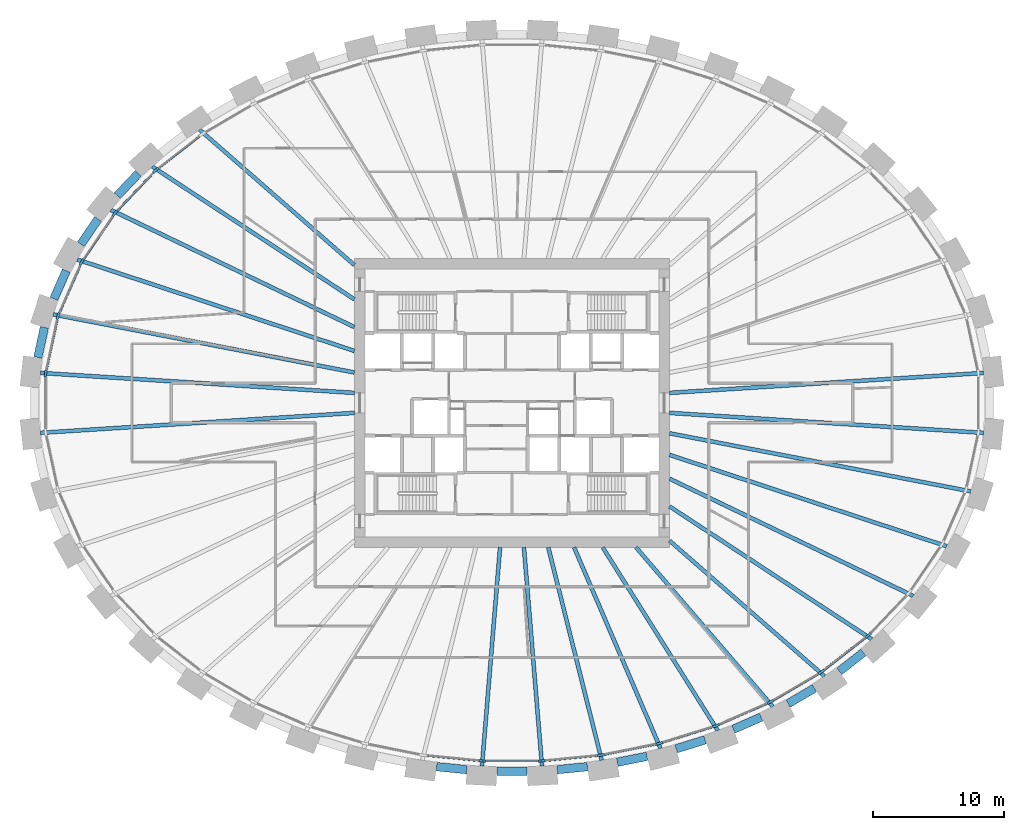
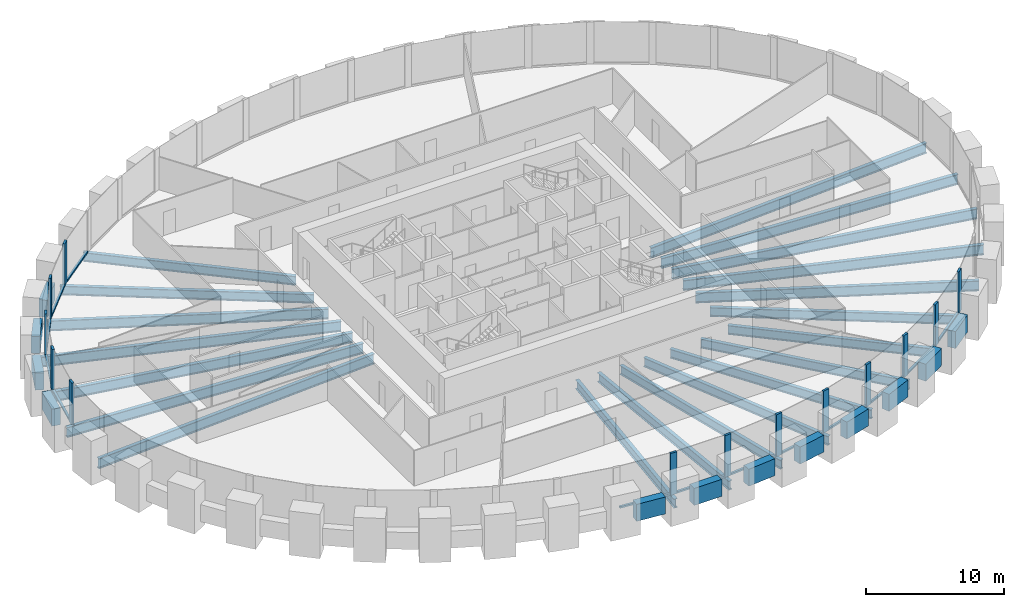
# One storey, part 2 of 11: 32 beams, 26 members, 1 element without a shape of its own.
"""IFC4 building model written with IfcOpenShell, lengths in metres."""

import ifcopenshell
import ifcopenshell.guid

model = None  # the IFC model being written
_history = None  # IfcOwnerHistory: only IFC2X3 demands one
_inside = {}  # id of a spatial element -> (the spatial element, [elements in it])
_under = {}  # id of a project, library or spatial element -> (it, [spatial elements below it])
_declared = {}  # id of a project -> (the project, [libraries it declares])
_typed = {}  # id of a type object -> (the type object, [elements of that type])
_made_of = {}  # id of a material, layer set ... -> (it, [elements and type objects made of it])


def new_model(schema):
    """Start an empty IFC model of exactly this schema.

    Asked for "IFC4X3", IfcOpenShell would pick the latest addendum, in which some entities
    have other attributes; the version numbers below select the first issue.
    IFC2X3 requires an IfcOwnerHistory on every rooted entity: one is made here for all.
    """
    global model, _history
    if schema == "IFC4X3":
        model = ifcopenshell.file(schema_version=(4, 3, 0, 0))
    else:
        model = ifcopenshell.file(schema=schema)
    _inside.clear()
    _under.clear()
    _declared.clear()
    _typed.clear()
    _made_of.clear()
    _history = None
    if model.schema == "IFC2X3":
        org = make("IfcOrganization", Name="unknown")
        user = make(
            "IfcPersonAndOrganization",
            ThePerson=make("IfcPerson", FamilyName="unknown"),
            TheOrganization=org,
        )
        app = make(
            "IfcApplication",
            ApplicationDeveloper=org,
            Version="unknown",
            ApplicationFullName="unknown",
            ApplicationIdentifier="unknown",
        )
        _history = make(
            "IfcOwnerHistory",
            OwningUser=user,
            OwningApplication=app,
            ChangeAction="ADDED",
            CreationDate=0,
        )
    return model


def make(cls, **values):
    """One entity of the class cls with the attributes given. An attribute that is None is left unset."""
    return model.create_entity(
        cls, **{name: value for name, value in values.items() if value is not None}
    )


def rooted(cls, **values):
    """An entity with a GlobalId (a new one), such as an element, a storey or a relation."""
    return make(cls, GlobalId=ifcopenshell.guid.new(), OwnerHistory=_history, **values)


def si_unit(unit_type, name, prefix=None):
    """IfcSIUnit, for example si_unit("LENGTHUNIT", "METRE", prefix="MILLI")."""
    return make("IfcSIUnit", UnitType=unit_type, Prefix=prefix, Name=name)


def assignment(units):
    """IfcUnitAssignment: the units of a project."""
    return None if units is None else make("IfcUnitAssignment", Units=units)


def point(xyz):
    """IfcCartesianPoint."""
    return None if xyz is None else make("IfcCartesianPoint", Coordinates=xyz)


def direction(xyz):
    """IfcDirection."""
    return None if xyz is None else make("IfcDirection", DirectionRatios=xyz)


def frame(location, z_axis=None, x_axis=None):
    """IfcAxis2Placement3D, a coordinate frame: its origin and axes. An axis left out is left unset."""
    return make(
        "IfcAxis2Placement3D",
        Location=point(location),
        Axis=direction(z_axis),
        RefDirection=direction(x_axis),
    )


def frame_2d(location, x_axis=None):
    """IfcAxis2Placement2D, a coordinate frame in the plane: its origin and x axis."""
    return make(
        "IfcAxis2Placement2D", Location=point(location), RefDirection=direction(x_axis)
    )


def origin():
    """The frame at (0, 0, 0) with its axes left unset."""
    return frame((0.0, 0.0, 0.0))


def origin_2d():
    """The frame at (0, 0) in the plane with its x axis left unset."""
    return frame_2d((0.0, 0.0))


def place(relative_to, where):
    """IfcLocalPlacement: puts the frame where relative to a parent placement (None: the world)."""
    return make(
        "IfcLocalPlacement", PlacementRelTo=relative_to, RelativePlacement=where
    )


def context(
    kind, dimensions, precision=None, world=None, true_north=None, identifier=None
):
    """IfcGeometricRepresentationContext, for example the 3D "Model" context."""
    return make(
        "IfcGeometricRepresentationContext",
        ContextIdentifier=identifier,
        ContextType=kind,
        CoordinateSpaceDimension=dimensions,
        Precision=precision,
        WorldCoordinateSystem=world,
        TrueNorth=true_north,
    )


def subcontext(parent, identifier, kind, view, scale=None):
    """IfcGeometricRepresentationSubContext, for example "Body" below "Model"."""
    return make(
        "IfcGeometricRepresentationSubContext",
        ContextIdentifier=identifier,
        ContextType=kind,
        ParentContext=parent,
        TargetScale=scale,
        TargetView=view,
    )


def project(units=None, contexts=None):
    """IfcProject with its units and contexts."""
    return rooted(
        "IfcProject",
        Name="project",
        RepresentationContexts=contexts,
        UnitsInContext=assignment(units),
    )


def spatial(cls, under=None, at=None, **own):
    """A site, building, storey or space (cls), placed at a placement, below another one or the project."""
    s = rooted(cls, ObjectPlacement=at, **own)
    if under is not None:
        _under.setdefault(under.id(), (under, []))[1].append(s)
    return s


def profile(cls, at=None, kind="AREA", **sizes):
    """A parametric profile (cls). Its sizes go by their IFC names, for example OverallWidth=200.0."""
    return make(cls, ProfileType=kind, Position=at, **sizes)


def rectangle(**sizes):
    """IfcRectangleProfileDef."""
    return profile("IfcRectangleProfileDef", **sizes)


def i_section(**sizes):
    """IfcIShapeProfileDef."""
    return profile("IfcIShapeProfileDef", **sizes)


def extrude(swept, where, along, depth):
    """IfcExtrudedAreaSolid: the profile swept, set in the frame where, extruded along a direction by depth."""
    return make(
        "IfcExtrudedAreaSolid",
        SweptArea=swept,
        Position=where,
        ExtrudedDirection=direction(along),
        Depth=depth,
    )


def shape(context_of_items, identifier, shape_type, items):
    """IfcShapeRepresentation: the items that make up one representation, for example the "Body"."""
    return make(
        "IfcShapeRepresentation",
        ContextOfItems=context_of_items,
        RepresentationIdentifier=identifier,
        RepresentationType=shape_type,
        Items=items,
    )


def source(mapping_origin, context_of_items, identifier, shape_type, items):
    """IfcRepresentationMap: a shape defined once, which mapped items show again and again."""
    return make(
        "IfcRepresentationMap",
        MappingOrigin=mapping_origin,
        MappedRepresentation=shape(context_of_items, identifier, shape_type, items),
    )


def transform(
    local_origin,
    x_axis=None,
    y_axis=None,
    z_axis=None,
    scale=None,
    scale2=None,
    scale3=None,
    uniform=True,
):
    """IfcCartesianTransformationOperator3D, or its non-uniform kind. x_axis, y_axis, z_axis: its Axis1, 2, 3."""
    if uniform:
        return make(
            "IfcCartesianTransformationOperator3D",
            Axis1=direction(x_axis),
            Axis2=direction(y_axis),
            LocalOrigin=point(local_origin),
            Scale=scale,
            Axis3=direction(z_axis),
        )
    return make(
        "IfcCartesianTransformationOperator3DnonUniform",
        Axis1=direction(x_axis),
        Axis2=direction(y_axis),
        LocalOrigin=point(local_origin),
        Scale=scale,
        Axis3=direction(z_axis),
        Scale2=scale2,
        Scale3=scale3,
    )


def mapped(mapping_source, mapping_target):
    """IfcMappedItem: shows the shape of a source again, moved by a transform."""
    return make(
        "IfcMappedItem", MappingSource=mapping_source, MappingTarget=mapping_target
    )


def material(Name=None, Category=None):
    """IfcMaterial."""
    return make("IfcMaterial", Name=Name, Category=Category)


def material_profile(
    of_material, cross_section, Name=None, Category=None, Priority=None
):
    """IfcMaterialProfile: a cross section and its material."""
    return make(
        "IfcMaterialProfile",
        Name=Name,
        Material=of_material,
        Profile=cross_section,
        Priority=Priority,
        Category=Category,
    )


def profile_set(profiles, Name=None, composite=None):
    """IfcMaterialProfileSet."""
    return make(
        "IfcMaterialProfileSet",
        Name=Name,
        MaterialProfiles=profiles,
        CompositeProfile=composite,
    )


def made_of(thing, what):
    """Note that an element or type object is made of a material, layer set ...; save() writes the relation."""
    if what is not None:
        _made_of.setdefault(what.id(), (what, []))[1].append(thing)
    return thing


def type_object(cls, material=None, **own):
    """A type object (cls), such as IfcWallType, which elements share."""
    return made_of(rooted(cls, **own), material)


def element(
    cls,
    number,
    at=None,
    inside=None,
    cuts=None,
    type_object=None,
    material=None,
    context=None,
    identifier="Body",
    shape_type=None,
    held_by="IfcProductDefinitionShape",
    body=None,
    shapes=None,
    **own,
):
    """One element of the class cls, such as IfcWall. Its Tag is "e" and its number.

    at: its placement. inside: the storey or other place that contains it. cuts: it is an
    opening in that element (IfcRelVoidsElement). A single representation is given by context,
    identifier, shape_type and body (its items); several are given by shapes. held_by: the class
    of the entity that holds the representations. save() writes the other relations.
    """
    e = rooted(cls, Tag="e%d" % number, ObjectPlacement=at, **own)
    if body is not None:
        shapes = [shape(context, identifier, shape_type, body)]
    if shapes is not None:
        e.Representation = make(held_by, Representations=shapes)
    if inside is not None:
        _inside.setdefault(inside.id(), (inside, []))[1].append(e)
    if cuts is not None:
        rooted(
            "IfcRelVoidsElement", RelatingBuildingElement=cuts, RelatedOpeningElement=e
        )
    if type_object is not None:
        _typed.setdefault(type_object.id(), (type_object, []))[1].append(e)
    return made_of(e, material)


def aggregate(whole, parts):
    """IfcRelAggregates: a whole, such as a stair, and the parts it consists of."""
    return rooted("IfcRelAggregates", RelatingObject=whole, RelatedObjects=parts)


def save(model, path):
    """Write the relations noted so far, then the file.

    IfcRelAggregates (storeys below a building ...), IfcRelContainedInSpatialStructure (elements
    in a storey), IfcRelDefinesByType, IfcRelAssociatesMaterial and IfcRelDeclares: one each for
    every whole, place, type object, material and project.
    """
    for whole, parts in _under.values():
        aggregate(whole, parts)
    for where, things in _inside.values():
        rooted(
            "IfcRelContainedInSpatialStructure",
            RelatedElements=things,
            RelatingStructure=where,
        )
    for kind, things in _typed.values():
        rooted("IfcRelDefinesByType", RelatedObjects=things, RelatingType=kind)
    for what, things in _made_of.values():
        rooted("IfcRelAssociatesMaterial", RelatedObjects=things, RelatingMaterial=what)
    for by, libraries in _declared.values():
        rooted("IfcRelDeclares", RelatingContext=by, RelatedDefinitions=libraries)
    model.write(path)


model = new_model("IFC4")

# Units and contexts
model_context = context("Model", 3, precision=1e-05, world=origin(), true_north=direction((0.0, 1.0)))
body_context = subcontext(model_context, "Body", "Model", "MODEL_VIEW")
ifc_project = project(units=[si_unit("LENGTHUNIT", "METRE"), si_unit("AREAUNIT", "SQUARE_METRE"), si_unit("VOLUMEUNIT", "CUBIC_METRE"), si_unit("PLANEANGLEUNIT", "RADIAN"), si_unit("MASSUNIT", "GRAM", prefix="KILO")], contexts=[model_context])

# Site, building, storey
site_placement = place(None, origin())
site = spatial("IfcSite", under=ifc_project, at=site_placement, CompositionType="ELEMENT")
building_placement = place(site_placement, origin())
building = spatial("IfcBuilding", under=site, at=building_placement, Name="Embergate Tower", CompositionType="ELEMENT")
storey_placement = place(building_placement, frame((0.0, 0.0, 187.199951171875)))
storey = spatial("IfcBuildingStorey", under=building, at=storey_placement, Name="L42", CompositionType="ELEMENT", Elevation=187.199951171875)

# Beams
ifc_material_1 = material(Name="Concrete C70", Category="concrete")
ifc_material_profile_1 = material_profile(ifc_material_1, rectangle(XDim=0.64990234375, YDim=1.5, at=origin_2d()), Name="RC 650x1500")
ifc_profile_set_1 = profile_set([ifc_material_profile_1], Name="Concrete C70")
beam_type_1 = type_object("IfcBeamType", Name="Spandrel beam RC 650x1500 C70", PredefinedType="BEAM", material=ifc_profile_set_1)
shared_shape_1 = source(origin(), body_context, "Body", "SweptSolid", [
    extrude(rectangle(XDim=0.64990234375, YDim=1.5, at=origin_2d()), origin(), (0.0, 0.0, 1.0), 2.34375),
])
beam_1_placement = place(storey_placement, frame((-35.614013671875, 5.75, 0.0), z_axis=(-0.210738330645, -0.977542508537, 0.0), x_axis=(0.977542508537, -0.210738330645, 0.0)))
element("IfcBeam", 1, at=beam_1_placement, inside=storey, type_object=beam_type_1, Name="SPN-L42-20", PredefinedType="BEAM", context=body_context, shape_type="MappedRepresentation", body=[
    mapped(shared_shape_1, transform((0.0, 0.0, 0.0))),
])
shared_shape_2 = source(origin(), body_context, "Body", "SweptSolid", [
    extrude(rectangle(XDim=0.64990234375, YDim=1.5, at=origin_2d()), origin(), (0.0, 0.0, 1.0), 2.3349609375),
])
beam_2_placement = place(storey_placement, frame((-33.949951171875, 10.070068359375, 0.0), z_axis=(-0.401729187016, -0.915758516368, 0.0), x_axis=(0.915758516368, -0.401729187016, 0.0)))
element("IfcBeam", 2, at=beam_2_placement, inside=storey, type_object=beam_type_1, Name="SPN-L42-19", PredefinedType="BEAM", context=body_context, shape_type="MappedRepresentation", body=[
    mapped(shared_shape_2, transform((0.0, 0.0, 0.0))),
])
shared_shape_3 = source(origin(), body_context, "Body", "SweptSolid", [
    extrude(rectangle(XDim=0.64990234375, YDim=1.5, at=origin_2d()), origin(), (0.0, 0.0, 1.0), 2.329345703125),
])
beam_3_placement = place(storey_placement, frame((-31.52587890625, 14.009033203125, 0.0), z_axis=(-0.562416089232, -0.826854366, 0.0), x_axis=(0.826854366, -0.562416089232, 0.0)))
element("IfcBeam", 3, at=beam_3_placement, inside=storey, type_object=beam_type_1, Name="SPN-L42-18", PredefinedType="BEAM", context=body_context, shape_type="MappedRepresentation", body=[
    mapped(shared_shape_3, transform((0.0, 0.0, 0.0))),
])
shared_shape_4 = source(origin(), body_context, "Body", "SweptSolid", [
    extrude(rectangle(XDim=0.64990234375, YDim=1.5, at=origin_2d()), origin(), (0.0, 0.0, 1.0), 2.322265625),
])
beam_4_placement = place(storey_placement, frame((-28.462890625, 17.466064453125, 0.0), z_axis=(-0.690300694886, -0.723522598569, 0.0), x_axis=(0.723522598569, -0.690300694886, 0.0)))
element("IfcBeam", 4, at=beam_4_placement, inside=storey, type_object=beam_type_1, Name="SPN-L42-17", PredefinedType="BEAM", context=body_context, shape_type="MappedRepresentation", body=[
    mapped(shared_shape_4, transform((0.0, 0.0, 0.0))),
])
shared_shape_5 = source(origin(), body_context, "Body", "SweptSolid", [
    extrude(rectangle(XDim=0.64990234375, YDim=1.5, at=origin_2d()), origin(), (0.0, 0.0, 1.0), 2.31787109375),
])
beam_5_placement = place(storey_placement, frame((24.930908203125, -20.43603515625, 0.0), z_axis=(0.788324506127, 0.615259679354, 0.0), x_axis=(-0.615259679354, 0.788324506127, 0.0)))
element("IfcBeam", 5, at=beam_5_placement, inside=storey, type_object=beam_type_1, Name="SPN-L42-38", PredefinedType="BEAM", context=body_context, shape_type="MappedRepresentation", body=[
    mapped(shared_shape_5, transform((0.0, 0.0, 0.0))),
])
shared_shape_6 = source(origin(), body_context, "Body", "SweptSolid", [
    extrude(rectangle(XDim=0.64990234375, YDim=1.5, at=origin_2d()), origin(), (0.0, 0.0, 1.0), 2.31298828125),
])
beam_6_placement = place(storey_placement, frame((21.034912109375, -22.902099609375, 0.0), z_axis=(0.86210510292, 0.506729505279, 0.0), x_axis=(-0.506729505279, 0.86210510292, 0.0)))
element("IfcBeam", 6, at=beam_6_placement, inside=storey, type_object=beam_type_1, Name="SPN-L42-37", PredefinedType="BEAM", context=body_context, shape_type="MappedRepresentation", body=[
    mapped(shared_shape_6, transform((0.0, 0.0, 0.0))),
])
shared_shape_7 = source(origin(), body_context, "Body", "SweptSolid", [
    extrude(rectangle(XDim=0.64990234375, YDim=1.5, at=origin_2d()), origin(), (0.0, 0.0, 1.0), 2.30810546875),
])
beam_7_placement = place(storey_placement, frame((16.862060546875, -24.85400390625, 0.0), z_axis=(0.91635386748, 0.40036931645, 0.0), x_axis=(-0.40036931645, 0.91635386748, 0.0)))
element("IfcBeam", 7, at=beam_7_placement, inside=storey, type_object=beam_type_1, Name="SPN-L42-36", PredefinedType="BEAM", context=body_context, shape_type="MappedRepresentation", body=[
    mapped(shared_shape_7, transform((0.0, 0.0, 0.0))),
])
shared_shape_8 = source(origin(), body_context, "Body", "SweptSolid", [
    extrude(rectangle(XDim=0.64990234375, YDim=1.5, at=origin_2d()), origin(), (0.0, 0.0, 1.0), 2.306640625),
])
beam_8_placement = place(storey_placement, frame((12.5048828125, -26.343994140625, 0.0), z_axis=(0.954743281812, 0.297431111074, 0.0), x_axis=(-0.297431111074, 0.954743281812, 0.0)))
element("IfcBeam", 8, at=beam_8_placement, inside=storey, type_object=beam_type_1, Name="SPN-L42-35", PredefinedType="BEAM", context=body_context, shape_type="MappedRepresentation", body=[
    mapped(shared_shape_8, transform((0.0, 0.0, 0.0))),
])
shared_shape_9 = source(origin(), body_context, "Body", "SweptSolid", [
    extrude(rectangle(XDim=0.64990234375, YDim=1.5, at=origin_2d()), origin(), (0.0, 0.0, 1.0), 2.3037109375),
])
beam_9_placement = place(storey_placement, frame((8.01708984375, -27.365966796875, 0.0), z_axis=(0.980486815957, 0.196584851232, 0.0), x_axis=(-0.196584851232, 0.980486815957, 0.0)))
element("IfcBeam", 9, at=beam_9_placement, inside=storey, type_object=beam_type_1, Name="SPN-L42-34", PredefinedType="BEAM", context=body_context, shape_type="MappedRepresentation", body=[
    mapped(shared_shape_9, transform((0.0, 0.0, 0.0))),
])
shared_shape_10 = source(origin(), body_context, "Body", "SweptSolid", [
    extrude(rectangle(XDim=0.64990234375, YDim=1.5, at=origin_2d()), origin(), (0.0, 0.0, 1.0), 2.303955078125),
])
for number, where, z_axis, x_axis, name in (
    (10, (-5.741943359375, -27.705078125, 0.0), (0.995226305482, -0.097594061685, 0.0), (0.097594061685, 0.995226305482, 0.0), "SPN-L42-31"),
    (11, (3.448974609375, -27.929931640625, 0.0), (0.995226305482, 0.097594061685, 0.0), (-0.097594061685, 0.995226305482, 0.0), "SPN-L42-33"),
):
    element("IfcBeam", number, at=place(storey_placement, frame(where, z_axis=z_axis, x_axis=x_axis)), inside=storey, type_object=beam_type_1, Name=name, PredefinedType="BEAM", context=body_context, shape_type="MappedRepresentation", body=[
        mapped(shared_shape_10, transform((0.0, 0.0, 0.0))),
    ])
shared_shape_11 = source(origin(), body_context, "Body", "SweptSolid", [
    extrude(rectangle(XDim=0.64990234375, YDim=1.5, at=origin_2d()), origin(), (0.0, 0.0, 1.0), 2.30419921875),
])
beam_10_placement = place(storey_placement, frame((-1.152099609375, -28.04296875, 0.0), z_axis=(1.0, 0.0, 0.0), x_axis=(0.0, 1.0, 0.0)))
element("IfcBeam", 12, at=beam_10_placement, inside=storey, type_object=beam_type_1, Name="SPN-L42-32", PredefinedType="BEAM", context=body_context, shape_type="MappedRepresentation", body=[
    mapped(shared_shape_11, transform((0.0, 0.0, 0.0))),
])
ifc_material_2 = material(Name="Steel Q355B", Category="steel")
ifc_material_profile_2 = material_profile(ifc_material_2, i_section(OverallWidth=0.300048828125, OverallDepth=0.89990234375, WebThickness=0.01611328125, FlangeThickness=0.028076171875, FilletRadius=0.028076171875, at=origin_2d()), Name="HN 900x300x16x28")
ifc_profile_set_2 = profile_set([ifc_material_profile_2], Name="Steel Q355 grade B")
beam_type_2 = type_object("IfcBeamType", Name="Radial girder HN 900x300x16x28", PredefinedType="BEAM", material=ifc_profile_set_2)
shared_shape_12 = source(origin(), body_context, "Body", "SweptSolid", [
    extrude(i_section(OverallWidth=0.300048828125, OverallDepth=0.89990234375, WebThickness=0.01611328125, FlangeThickness=0.028076171875, FilletRadius=0.028076171875, at=origin_2d()), origin(), (0.0, 0.0, 1.0), 23.9541015625),
])
for number, where, z_axis, x_axis, name in (
    (13, (35.906005859375, 2.281005859375, -0.64990234375), (-0.997987279976, -0.063414422696, 0.0), (0.063414422696, -0.997987279976, 0.0), "GIR-L42-00"),
    (14, (-35.906005859375, 2.281005859375, -0.64990234375), (0.997987279976, -0.063414422696, 0.0), (0.063414422696, 0.997987279976, 0.0), "GIR-L42-21"),
    (15, (-35.906005859375, -2.281005859375, -0.64990234375), (0.997987279976, 0.063414422696, 0.0), (-0.063414422696, 0.997987279976, 0.0), "GIR-L42-22"),
    (16, (35.906005859375, -2.281005859375, -0.64990234375), (-0.997987279976, 0.063414422696, 0.0), (-0.063414422696, -0.997987279976, 0.0), "GIR-L42-43"),
):
    element("IfcBeam", number, at=place(storey_placement, frame(where, z_axis=z_axis, x_axis=x_axis)), inside=storey, type_object=beam_type_2, Name=name, PredefinedType="BEAM", context=body_context, shape_type="MappedRepresentation", body=[
        mapped(shared_shape_12, transform((0.0, 0.0, 0.0))),
    ])
shared_shape_13 = source(origin(), body_context, "Body", "SweptSolid", [
    extrude(i_section(OverallWidth=0.300048828125, OverallDepth=0.89990234375, WebThickness=0.01611328125, FlangeThickness=0.028076171875, FilletRadius=0.028076171875, at=origin_2d()), origin(), (0.0, 0.0, 1.0), 23.368896484375),
])
for number, where, z_axis, x_axis, name in (
    (17, (-34.946044921875, 6.740966796875, -0.64990234375), (0.981900554316, -0.189397205456, 0.0), (0.189397205456, 0.981900554316, 0.0), "GIR-L42-20"),
    (18, (34.946044921875, -6.740966796875, -0.64990234375), (-0.981900554316, 0.189397205456, 0.0), (-0.189397205456, -0.981900554316, 0.0), "GIR-L42-42"),
):
    element("IfcBeam", number, at=place(storey_placement, frame(where, z_axis=z_axis, x_axis=x_axis)), inside=storey, type_object=beam_type_2, Name=name, PredefinedType="BEAM", context=body_context, shape_type="MappedRepresentation", body=[
        mapped(shared_shape_13, transform((0.0, 0.0, 0.0))),
    ])
shared_shape_14 = source(origin(), body_context, "Body", "SweptSolid", [
    extrude(i_section(OverallWidth=0.300048828125, OverallDepth=0.89990234375, WebThickness=0.01611328125, FlangeThickness=0.028076171875, FilletRadius=0.028076171875, at=origin_2d()), origin(), (0.0, 0.0, 1.0), 22.2314453125),
])
for number, where, z_axis, x_axis, name in (
    (19, (-33.113037109375, 10.919921875, -0.64990234375), (0.949687686315, -0.313198496903, 0.0), (0.313198496903, 0.949687686315, 0.0), "GIR-L42-19"),
    (20, (33.113037109375, -10.919921875, -0.64990234375), (-0.949687686315, 0.313198496903, 0.0), (-0.313198496903, -0.949687686315, 0.0), "GIR-L42-41"),
):
    element("IfcBeam", number, at=place(storey_placement, frame(where, z_axis=z_axis, x_axis=x_axis)), inside=storey, type_object=beam_type_2, Name=name, PredefinedType="BEAM", context=body_context, shape_type="MappedRepresentation", body=[
        mapped(shared_shape_14, transform((0.0, 0.0, 0.0))),
    ])
shared_shape_15 = source(origin(), body_context, "Body", "SweptSolid", [
    extrude(i_section(OverallWidth=0.300048828125, OverallDepth=0.89990234375, WebThickness=0.01611328125, FlangeThickness=0.028076171875, FilletRadius=0.028076171875, at=origin_2d()), origin(), (0.0, 0.0, 1.0), 20.580322265625),
])
for number, where, z_axis, x_axis, name in (
    (21, (-30.5458984375, 14.695068359375, -0.64990234375), (0.901141928055, -0.433524192522, 0.0), (0.433524192522, 0.901141928055, 0.0), "GIR-L42-18"),
    (22, (30.5458984375, -14.695068359375, -0.64990234375), (-0.901141928055, 0.433524192522, 0.0), (-0.433524192522, -0.901141928055, 0.0), "GIR-L42-40"),
):
    element("IfcBeam", number, at=place(storey_placement, frame(where, z_axis=z_axis, x_axis=x_axis)), inside=storey, type_object=beam_type_2, Name=name, PredefinedType="BEAM", context=body_context, shape_type="MappedRepresentation", body=[
        mapped(shared_shape_15, transform((0.0, 0.0, 0.0))),
    ])
ifc_material_profile_3 = material_profile(ifc_material_2, i_section(OverallWidth=0.300048828125, OverallDepth=0.800048828125, WebThickness=0.013916015625, FlangeThickness=0.02587890625, FilletRadius=0.028076171875, at=origin_2d()), Name="HN 800x300x14x26")
ifc_profile_set_3 = profile_set([ifc_material_profile_3], Name="Steel Q355 grade B")
beam_type_3 = type_object("IfcBeamType", Name="Radial girder HN 800x300x14x26", PredefinedType="BEAM", material=ifc_profile_set_3)
shared_shape_16 = source(origin(), body_context, "Body", "SweptSolid", [
    extrude(i_section(OverallWidth=0.300048828125, OverallDepth=0.800048828125, WebThickness=0.013916015625, FlangeThickness=0.02587890625, FilletRadius=0.028076171875, at=origin_2d()), origin(), (0.0, 0.0, 1.0), 18.420654296875),
])
for number, where, z_axis, x_axis, name in (
    (23, (-27.39501953125, 17.9990234375, -0.599853515625), (0.835748751714, -0.549112032292, 0.0), (0.549112032292, 0.835748751714, 0.0), "GIR-L42-17"),
    (24, (27.39501953125, -17.9990234375, -0.599853515625), (-0.835748751714, 0.549112032292, 0.0), (-0.549112032292, -0.835748751714, 0.0), "GIR-L42-39"),
):
    element("IfcBeam", number, at=place(storey_placement, frame(where, z_axis=z_axis, x_axis=x_axis)), inside=storey, type_object=beam_type_3, Name=name, PredefinedType="BEAM", context=body_context, shape_type="MappedRepresentation", body=[
        mapped(shared_shape_16, transform((0.0, 0.0, 0.0))),
    ])
shared_shape_17 = source(origin(), body_context, "Body", "SweptSolid", [
    extrude(i_section(OverallWidth=0.300048828125, OverallDepth=0.800048828125, WebThickness=0.013916015625, FlangeThickness=0.02587890625, FilletRadius=0.028076171875, at=origin_2d()), origin(), (0.0, 0.0, 1.0), 15.6689453125),
])
for number, where, z_axis, x_axis, name in (
    (25, (-23.794921875, 20.81005859375, -0.599853515625), (0.752754264338, -0.658301615919, 0.0), (0.658301615919, 0.752754264338, 0.0), "GIR-L42-16"),
    (26, (23.794921875, -20.81005859375, -0.599853515625), (-0.752754264338, 0.658301615919, 0.0), (-0.658301615919, -0.752754264338, 0.0), "GIR-L42-38"),
):
    element("IfcBeam", number, at=place(storey_placement, frame(where, z_axis=z_axis, x_axis=x_axis)), inside=storey, type_object=beam_type_3, Name=name, PredefinedType="BEAM", context=body_context, shape_type="MappedRepresentation", body=[
        mapped(shared_shape_17, transform((0.0, 0.0, 0.0))),
    ])
shared_shape_18 = source(origin(), body_context, "Body", "SweptSolid", [
    extrude(i_section(OverallWidth=0.300048828125, OverallDepth=0.800048828125, WebThickness=0.013916015625, FlangeThickness=0.02587890625, FilletRadius=0.028076171875, at=origin_2d()), origin(), (0.0, 0.0, 1.0), 15.98193359375),
])
beam_11_placement = place(storey_placement, frame((19.85791015625, -23.125, -0.599853515625), z_axis=(-0.651476732158, 0.758668615047, 0.0), x_axis=(-0.758668615047, -0.651476732158, 0.0)))
element("IfcBeam", 27, at=beam_11_placement, inside=storey, type_object=beam_type_3, Name="GIR-L42-37", PredefinedType="BEAM", context=body_context, shape_type="MappedRepresentation", body=[
    mapped(shared_shape_18, transform((0.0, 0.0, 0.0))),
])
shared_shape_19 = source(origin(), body_context, "Body", "SweptSolid", [
    extrude(i_section(OverallWidth=0.300048828125, OverallDepth=0.800048828125, WebThickness=0.013916015625, FlangeThickness=0.02587890625, FilletRadius=0.028076171875, at=origin_2d()), origin(), (0.0, 0.0, 1.0), 16.47802734375),
])
beam_12_placement = place(storey_placement, frame((15.672119140625, -24.9541015625, -0.599853515625), z_axis=(-0.531867473593, 0.846827603786, 0.0), x_axis=(-0.846827603786, -0.531867473593, 0.0)))
element("IfcBeam", 28, at=beam_12_placement, inside=storey, type_object=beam_type_3, Name="GIR-L42-36", PredefinedType="BEAM", context=body_context, shape_type="MappedRepresentation", body=[
    mapped(shared_shape_19, transform((0.0, 0.0, 0.0))),
])
shared_shape_20 = source(origin(), body_context, "Body", "SweptSolid", [
    extrude(i_section(OverallWidth=0.300048828125, OverallDepth=0.800048828125, WebThickness=0.013916015625, FlangeThickness=0.02587890625, FilletRadius=0.028076171875, at=origin_2d()), origin(), (0.0, 0.0, 1.0), 16.667724609375),
])
beam_13_placement = place(storey_placement, frame((11.31005859375, -26.31298828125, -0.599853515625), z_axis=(-0.394898441687, 0.918724779655, 0.0), x_axis=(-0.918724779655, -0.394898441687, 0.0)))
element("IfcBeam", 29, at=beam_13_placement, inside=storey, type_object=beam_type_3, Name="GIR-L42-35", PredefinedType="BEAM", context=body_context, shape_type="MappedRepresentation", body=[
    mapped(shared_shape_20, transform((0.0, 0.0, 0.0))),
])
shared_shape_21 = source(origin(), body_context, "Body", "SweptSolid", [
    extrude(i_section(OverallWidth=0.300048828125, OverallDepth=0.800048828125, WebThickness=0.013916015625, FlangeThickness=0.02587890625, FilletRadius=0.028076171875, at=origin_2d()), origin(), (0.0, 0.0, 1.0), 16.7138671875),
])
beam_14_placement = place(storey_placement, frame((6.8310546875, -27.2109375, -0.599853515625), z_axis=(-0.243456622588, 0.969911786153, 0.0), x_axis=(-0.969911786153, -0.243456622588, 0.0)))
element("IfcBeam", 30, at=beam_14_placement, inside=storey, type_object=beam_type_3, Name="GIR-L42-34", PredefinedType="BEAM", context=body_context, shape_type="MappedRepresentation", body=[
    mapped(shared_shape_21, transform((0.0, 0.0, 0.0))),
])
shared_shape_22 = source(origin(), body_context, "Body", "SweptSolid", [
    extrude(i_section(OverallWidth=0.300048828125, OverallDepth=0.800048828125, WebThickness=0.013916015625, FlangeThickness=0.02587890625, FilletRadius=0.028076171875, at=origin_2d()), origin(), (0.0, 0.0, 1.0), 16.714599609375),
])
for number, where, z_axis, x_axis, name in (
    (31, (-2.284912109375, -27.657958984375, -0.599853515625), (0.08232138593, 0.99660583453, 0.0), (-0.99660583453, 0.08232138593, 0.0), "GIR-L42-32"),
    (32, (2.284912109375, -27.657958984375, -0.599853515625), (-0.08232138593, 0.99660583453, 0.0), (-0.99660583453, -0.08232138593, 0.0), "GIR-L42-33"),
):
    element("IfcBeam", number, at=place(storey_placement, frame(where, z_axis=z_axis, x_axis=x_axis)), inside=storey, type_object=beam_type_3, Name=name, PredefinedType="BEAM", context=body_context, shape_type="MappedRepresentation", body=[
        mapped(shared_shape_22, transform((0.0, 0.0, 0.0))),
    ])

# Curtain wall, members
ifc_material_3 = material(Name="Aluminium and glass", Category="aluminium")
curtain_wall_type = type_object("IfcCurtainWallType", Name="Recessed office glazing", PredefinedType="NOTDEFINED", material=ifc_material_3)
curtain_wall_placement = place(storey_placement, origin())
curtain_wall = element("IfcCurtainWall", 33, at=curtain_wall_placement, inside=storey, type_object=curtain_wall_type, Name="Recessed office glazing ring", ObjectType="RECESSED OFFICE GLAZING", PredefinedType="USERDEFINED")
ifc_material_4 = material(Name="Aluminium, thermally broken", Category="aluminium")
ifc_material_profile_4 = material_profile(ifc_material_4, rectangle(XDim=0.179931640625, YDim=0.52001953125, at=origin_2d()), Name="AL 520x180")
ifc_profile_set_4 = profile_set([ifc_material_profile_4], Name="Aluminium, thermally broken")
member_type_1 = type_object("IfcMemberType", Name="Office mullion", PredefinedType="MULLION", material=ifc_profile_set_4)
shared_shape_23 = source(origin(), body_context, "Body", "SweptSolid", [
    extrude(rectangle(XDim=0.179931640625, YDim=0.52001953125, at=origin_2d()), origin(), (0.0, 0.0, 1.0), 3.699951171875),
])
member_1_placement = place(storey_placement, frame((-27.13427734375, 17.709716796875, 0.0), z_axis=(0.0, 0.0, 1.0), x_axis=(0.671229121411, -0.741249935292, 0.0)))
member_1 = element("IfcMember", 34, at=member_1_placement, type_object=member_type_1, Name="CW mullion 18", PredefinedType="MULLION", context=body_context, shape_type="MappedRepresentation", body=[
    mapped(shared_shape_23, transform((0.0, 0.0, 0.0))),
])
member_2_placement = place(storey_placement, frame((-30.24365234375, 14.448974609375, 0.0), z_axis=(0.0, 0.0, 1.0), x_axis=(0.777873661157, -0.62842069291, 0.0)))
member_2 = element("IfcMember", 35, at=member_2_placement, type_object=member_type_1, Name="CW mullion 19", PredefinedType="MULLION", context=body_context, shape_type="MappedRepresentation", body=[
    mapped(shared_shape_23, transform((0.0, 0.0, 0.0))),
])
member_3_placement = place(storey_placement, frame((-32.7724609375, 10.73046875, 0.0), z_axis=(0.0, 0.0, 1.0), x_axis=(0.875002740779, -0.484117964581, 0.0)))
member_3 = element("IfcMember", 36, at=member_3_placement, type_object=member_type_1, Name="CW mullion 20", PredefinedType="MULLION", context=body_context, shape_type="MappedRepresentation", body=[
    mapped(shared_shape_23, transform((0.0, 0.0, 0.0))),
])
member_4_placement = place(storey_placement, frame((-34.5751953125, 6.6201171875, 0.0), z_axis=(0.0, 0.0, 1.0), x_axis=(0.951497797992, -0.307655554826, 0.0)))
member_4 = element("IfcMember", 37, at=member_4_placement, type_object=member_type_1, Name="CW mullion 21", PredefinedType="MULLION", context=body_context, shape_type="MappedRepresentation", body=[
    mapped(shared_shape_23, transform((0.0, 0.0, 0.0))),
])
member_5_placement = place(storey_placement, frame((-35.51806640625, 2.2392578125, 0.0), z_axis=(0.0, 0.0, 1.0), x_axis=(0.994384954736, -0.105823257345, 0.0)))
member_5 = element("IfcMember", 38, at=member_5_placement, type_object=member_type_1, Name="CW mullion 22", PredefinedType="MULLION", context=body_context, shape_type="MappedRepresentation", body=[
    mapped(shared_shape_23, transform((0.0, 0.0, 0.0))),
])
member_6_placement = place(storey_placement, frame((-2.265380859375, -27.268798828125, 0.0), z_axis=(0.0, 0.0, 1.0), x_axis=(0.048971796621, 0.998800161762, 0.0)))
member_6 = element("IfcMember", 39, at=member_6_placement, type_object=member_type_1, Name="CW mullion 33", PredefinedType="MULLION", context=body_context, shape_type="MappedRepresentation", body=[
    mapped(shared_shape_23, transform((0.0, 0.0, 0.0))),
])
member_7_placement = place(storey_placement, frame((2.265380859375, -27.268798828125, 0.0), z_axis=(0.0, 0.0, 1.0), x_axis=(-0.048971796621, 0.998800161762, 0.0)))
member_7 = element("IfcMember", 40, at=member_7_placement, type_object=member_type_1, Name="CW mullion 34", PredefinedType="MULLION", context=body_context, shape_type="MappedRepresentation", body=[
    mapped(shared_shape_23, transform((0.0, 0.0, 0.0))),
])
member_8_placement = place(storey_placement, frame((6.773681640625, -26.825439453125, 0.0), z_axis=(0.0, 0.0, 1.0), x_axis=(-0.147412382818, 0.989075118174, 0.0)))
member_8 = element("IfcMember", 41, at=member_8_placement, type_object=member_type_1, Name="CW mullion 35", PredefinedType="MULLION", context=body_context, shape_type="MappedRepresentation", body=[
    mapped(shared_shape_23, transform((0.0, 0.0, 0.0))),
])
member_9_placement = place(storey_placement, frame((11.21435546875, -25.934814453125, 0.0), z_axis=(0.0, 0.0, 1.0), x_axis=(-0.247313572481, 0.968935496752, 0.0)))
member_9 = element("IfcMember", 42, at=member_9_placement, type_object=member_type_1, Name="CW mullion 36", PredefinedType="MULLION", context=body_context, shape_type="MappedRepresentation", body=[
    mapped(shared_shape_23, transform((0.0, 0.0, 0.0))),
])
member_10_placement = place(storey_placement, frame((15.536376953125, -24.5888671875, 0.0), z_axis=(0.0, 0.0, 1.0), x_axis=(-0.349504318111, 0.93693475313, 0.0)))
member_10 = element("IfcMember", 43, at=member_10_placement, type_object=member_type_1, Name="CW mullion 37", PredefinedType="MULLION", context=body_context, shape_type="MappedRepresentation", body=[
    mapped(shared_shape_23, transform((0.0, 0.0, 0.0))),
])
member_11_placement = place(storey_placement, frame((19.680908203125, -22.776611328125, 0.0), z_axis=(0.0, 0.0, 1.0), x_axis=(-0.454512935162, 0.89074013706, 0.0)))
member_11 = element("IfcMember", 44, at=member_11_placement, type_object=member_type_1, Name="CW mullion 38", PredefinedType="MULLION", context=body_context, shape_type="MappedRepresentation", body=[
    mapped(shared_shape_23, transform((0.0, 0.0, 0.0))),
])
member_12_placement = place(storey_placement, frame((23.576416015625, -20.486328125, 0.0), z_axis=(0.0, 0.0, 1.0), x_axis=(-0.562219061911, 0.826988347211, 0.0)))
member_12 = element("IfcMember", 45, at=member_12_placement, type_object=member_type_1, Name="CW mullion 39", PredefinedType="MULLION", context=body_context, shape_type="MappedRepresentation", body=[
    mapped(shared_shape_23, transform((0.0, 0.0, 0.0))),
])
member_13_placement = place(storey_placement, frame((27.13427734375, -17.709716796875, 0.0), z_axis=(0.0, 0.0, 1.0), x_axis=(-0.671229121411, 0.741249935292, 0.0)))
member_13 = element("IfcMember", 46, at=member_13_placement, type_object=member_type_1, Name="CW mullion 40", PredefinedType="MULLION", context=body_context, shape_type="MappedRepresentation", body=[
    mapped(shared_shape_23, transform((0.0, 0.0, 0.0))),
])
ifc_material_profile_5 = material_profile(ifc_material_4, rectangle(XDim=0.179931640625, YDim=0.14990234375, at=origin_2d()), Name="AL 150x180")
ifc_profile_set_5 = profile_set([ifc_material_profile_5], Name="Aluminium, thermally broken")
member_type_2 = type_object("IfcMemberType", Name="Office sill transom", PredefinedType="USERDEFINED", material=ifc_profile_set_5)
shared_shape_24 = source(origin(), body_context, "Body", "SweptSolid", [
    extrude(rectangle(XDim=0.179931640625, YDim=0.14990234375, at=origin_2d()), origin(), (0.0, 0.0, 1.0), 3.96142578125),
])
member_14_placement = place(storey_placement, frame((-34.6298828125, 6.3662109375, 0.074951171875), z_axis=(-0.210400224287, -0.977615336224, 0.0), x_axis=(0.977615336224, -0.210400224287, 0.0)))
member_14 = element("IfcMember", 47, at=member_14_placement, type_object=member_type_2, Name="CW transom 21.1", ObjectType="TRANSOM", PredefinedType="USERDEFINED", context=body_context, shape_type="MappedRepresentation", body=[
    mapped(shared_shape_24, transform((0.0, 0.0, 0.0))),
])
shared_shape_25 = source(origin(), body_context, "Body", "SweptSolid", [
    extrude(rectangle(XDim=0.179931640625, YDim=0.14990234375, at=origin_2d()), origin(), (0.0, 0.0, 1.0), 3.968017578125),
])
member_15_placement = place(storey_placement, frame((-32.876953125, 10.4921875, 0.074951171875), z_axis=(-0.401657873891, -0.915789797028, 0.0), x_axis=(0.915789797028, -0.401657873891, 0.0)))
member_15 = element("IfcMember", 48, at=member_15_placement, type_object=member_type_2, Name="CW transom 20.1", ObjectType="TRANSOM", PredefinedType="USERDEFINED", context=body_context, shape_type="MappedRepresentation", body=[
    mapped(shared_shape_25, transform((0.0, 0.0, 0.0))),
])
shared_shape_26 = source(origin(), body_context, "Body", "SweptSolid", [
    extrude(rectangle(XDim=0.179931640625, YDim=0.14990234375, at=origin_2d()), origin(), (0.0, 0.0, 1.0), 3.976806640625),
])
member_16_placement = place(storey_placement, frame((-30.389892578125, 14.23388671875, 0.074951171875), z_axis=(-0.5623268127, -0.826915083741, 0.0), x_axis=(0.826915083741, -0.5623268127, 0.0)))
member_16 = element("IfcMember", 49, at=member_16_placement, type_object=member_type_2, Name="CW transom 19.1", ObjectType="TRANSOM", PredefinedType="USERDEFINED", context=body_context, shape_type="MappedRepresentation", body=[
    mapped(shared_shape_26, transform((0.0, 0.0, 0.0))),
])
shared_shape_27 = source(origin(), body_context, "Body", "SweptSolid", [
    extrude(rectangle(XDim=0.179931640625, YDim=0.14990234375, at=origin_2d()), origin(), (0.0, 0.0, 1.0), 3.985595703125),
])
member_17_placement = place(storey_placement, frame((-27.313720703125, 17.521484375, 0.074951171875), z_axis=(-0.690123088355, -0.723692008329, 0.0), x_axis=(0.723692008329, -0.690123088355, 0.0)))
member_17 = element("IfcMember", 50, at=member_17_placement, type_object=member_type_2, Name="CW transom 18.1", ObjectType="TRANSOM", PredefinedType="USERDEFINED", context=body_context, shape_type="MappedRepresentation", body=[
    mapped(shared_shape_27, transform((0.0, 0.0, 0.0))),
])
shared_shape_28 = source(origin(), body_context, "Body", "SweptSolid", [
    extrude(rectangle(XDim=0.179931640625, YDim=0.14990234375, at=origin_2d()), origin(), (0.0, 0.0, 1.0), 3.992919921875),
])
member_18_placement = place(storey_placement, frame((-23.781494140625, 20.326416015625, 0.074951171875), z_axis=(-0.788310720269, -0.615277342594, 0.0), x_axis=(0.615277342594, -0.788310720269, 0.0)))
member_18 = element("IfcMember", 51, at=member_18_placement, type_object=member_type_2, Name="CW transom 17.1", ObjectType="TRANSOM", PredefinedType="USERDEFINED", context=body_context, shape_type="MappedRepresentation", body=[
    mapped(shared_shape_28, transform((0.0, 0.0, 0.0))),
])
member_19_placement = place(storey_placement, frame((23.781494140625, -20.326416015625, 0.074951171875), z_axis=(0.788310720269, 0.615277342594, 0.0), x_axis=(-0.615277342594, 0.788310720269, 0.0)))
member_19 = element("IfcMember", 52, at=member_19_placement, type_object=member_type_2, Name="CW transom 39.1", ObjectType="TRANSOM", PredefinedType="USERDEFINED", context=body_context, shape_type="MappedRepresentation", body=[
    mapped(shared_shape_28, transform((0.0, 0.0, 0.0))),
])
shared_shape_29 = source(origin(), body_context, "Body", "SweptSolid", [
    extrude(rectangle(XDim=0.179931640625, YDim=0.14990234375, at=origin_2d()), origin(), (0.0, 0.0, 1.0), 3.9990234375),
])
member_20_placement = place(storey_placement, frame((19.905029296875, -22.64501953125, 0.074951171875), z_axis=(0.862037779563, 0.506844025916, 0.0), x_axis=(-0.506844025916, 0.862037779563, 0.0)))
member_20 = element("IfcMember", 53, at=member_20_placement, type_object=member_type_2, Name="CW transom 38.1", ObjectType="TRANSOM", PredefinedType="USERDEFINED", context=body_context, shape_type="MappedRepresentation", body=[
    mapped(shared_shape_29, transform((0.0, 0.0, 0.0))),
])
shared_shape_30 = source(origin(), body_context, "Body", "SweptSolid", [
    extrude(rectangle(XDim=0.179931640625, YDim=0.14990234375, at=origin_2d()), origin(), (0.0, 0.0, 1.0), 4.00341796875),
])
member_21_placement = place(storey_placement, frame((15.774658203125, -24.48486328125, 0.074951171875), z_axis=(0.916224504472, 0.400665268529, 0.0), x_axis=(-0.400665268529, 0.916224504472, 0.0)))
member_21 = element("IfcMember", 54, at=member_21_placement, type_object=member_type_2, Name="CW transom 37.1", ObjectType="TRANSOM", PredefinedType="USERDEFINED", context=body_context, shape_type="MappedRepresentation", body=[
    mapped(shared_shape_30, transform((0.0, 0.0, 0.0))),
])
shared_shape_31 = source(origin(), body_context, "Body", "SweptSolid", [
    extrude(rectangle(XDim=0.179931640625, YDim=0.14990234375, at=origin_2d()), origin(), (0.0, 0.0, 1.0), 4.006591796875),
])
member_22_placement = place(storey_placement, frame((11.462646484375, -25.857666015625, 0.074951171875), z_axis=(0.954766855045, 0.297355431273, 0.0), x_axis=(-0.297355431273, 0.954766855045, 0.0)))
member_22 = element("IfcMember", 55, at=member_22_placement, type_object=member_type_2, Name="CW transom 36.1", ObjectType="TRANSOM", PredefinedType="USERDEFINED", context=body_context, shape_type="MappedRepresentation", body=[
    mapped(shared_shape_31, transform((0.0, 0.0, 0.0))),
])
shared_shape_32 = source(origin(), body_context, "Body", "SweptSolid", [
    extrude(rectangle(XDim=0.179931640625, YDim=0.14990234375, at=origin_2d()), origin(), (0.0, 0.0, 1.0), 4.009033203125),
])
member_23_placement = place(storey_placement, frame((7.02880859375, -26.7744140625, 0.074951171875), z_axis=(0.980475131823, 0.196643118053, 0.0), x_axis=(-0.196643118053, 0.980475131823, 0.0)))
member_23 = element("IfcMember", 56, at=member_23_placement, type_object=member_type_2, Name="CW transom 35.1", ObjectType="TRANSOM", PredefinedType="USERDEFINED", context=body_context, shape_type="MappedRepresentation", body=[
    mapped(shared_shape_32, transform((0.0, 0.0, 0.0))),
])
shared_shape_33 = source(origin(), body_context, "Body", "SweptSolid", [
    extrude(rectangle(XDim=0.179931640625, YDim=0.14990234375, at=origin_2d()), origin(), (0.0, 0.0, 1.0), 4.01025390625),
])
member_24_placement = place(storey_placement, frame((-6.51513671875, -26.850830078125, 0.074951171875), z_axis=(0.995196827503, -0.097894200687, 0.0), x_axis=(0.097894200687, 0.995196827503, 0.0)))
member_24 = element("IfcMember", 57, at=member_24_placement, type_object=member_type_2, Name="CW transom 32.1", ObjectType="TRANSOM", PredefinedType="USERDEFINED", context=body_context, shape_type="MappedRepresentation", body=[
    mapped(shared_shape_33, transform((0.0, 0.0, 0.0))),
])
member_25_placement = place(storey_placement, frame((2.524169921875, -27.243408203125, 0.074951171875), z_axis=(0.995196827503, 0.097894200687, 0.0), x_axis=(-0.097894200687, 0.995196827503, 0.0)))
member_25 = element("IfcMember", 58, at=member_25_placement, type_object=member_type_2, Name="CW transom 34.1", ObjectType="TRANSOM", PredefinedType="USERDEFINED", context=body_context, shape_type="MappedRepresentation", body=[
    mapped(shared_shape_33, transform((0.0, 0.0, 0.0))),
])
shared_shape_34 = source(origin(), body_context, "Body", "SweptSolid", [
    extrude(rectangle(XDim=0.179931640625, YDim=0.14990234375, at=origin_2d()), origin(), (0.0, 0.0, 1.0), 4.0107421875),
])
member_26_placement = place(storey_placement, frame((-2.00537109375, -27.268798828125, 0.074951171875), z_axis=(1.0, 0.0, 0.0), x_axis=(0.0, 1.0, 0.0)))
member_26 = element("IfcMember", 59, at=member_26_placement, type_object=member_type_2, Name="CW transom 33.1", ObjectType="TRANSOM", PredefinedType="USERDEFINED", context=body_context, shape_type="MappedRepresentation", body=[
    mapped(shared_shape_34, transform((0.0, 0.0, 0.0))),
])
aggregate(curtain_wall, [member_1, member_2, member_3, member_4, member_5, member_6, member_7, member_8, member_9, member_10, member_11, member_12, member_13, member_18, member_17, member_16, member_15, member_14, member_24, member_26, member_25, member_23, member_22, member_21, member_20, member_19])

save(model, "model.ifc")
